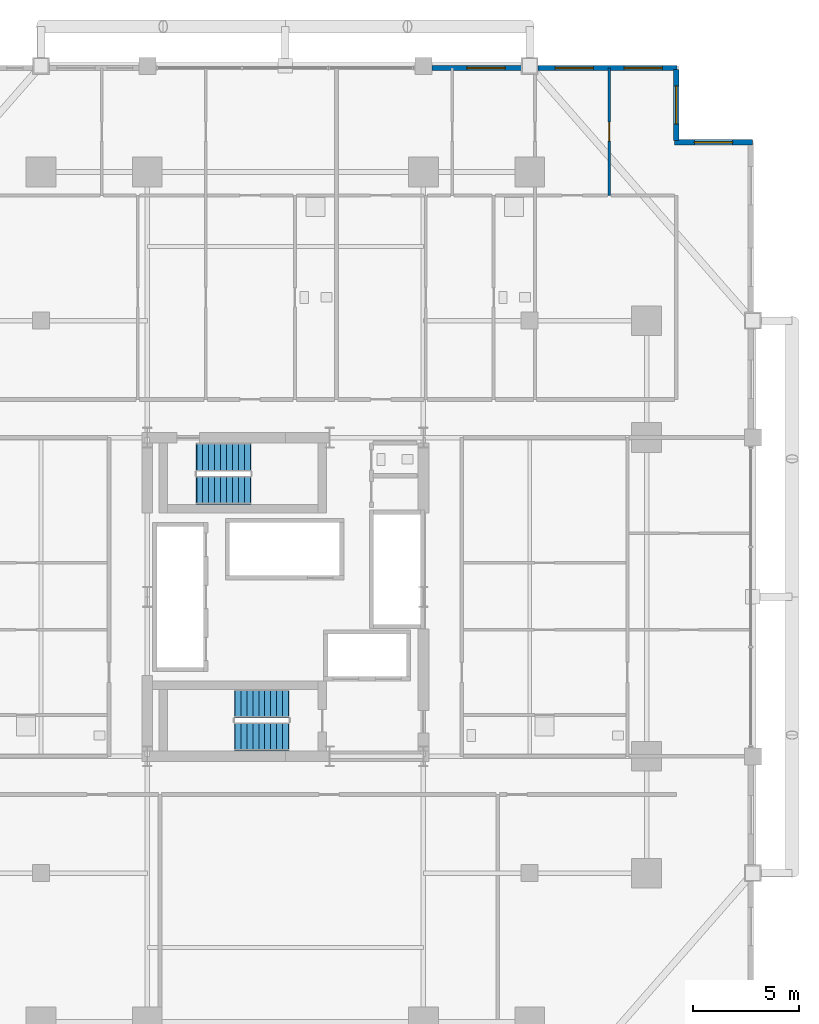
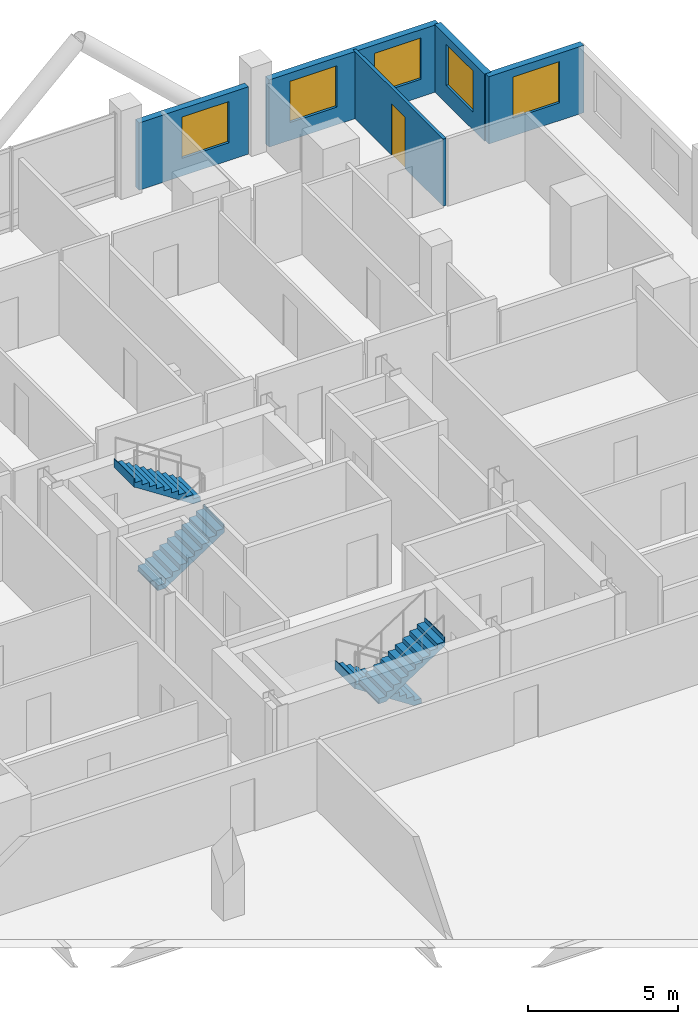
# One storey, part 25 of 27: 5 walls, 5 windows, 4 stair flights, 1 door, 6 openings, 2 elements without a shape of their own.
"""IFC4 building model written with IfcOpenShell, lengths in metres."""

from ifc_helpers import new_model, si_unit, direction, frame, frame_2d, origin, place, context, subcontext, project, spatial, polyline, rectangle, outline, extrude, material, layer, layer_set, type_object, element, fill, aggregate, save


model = new_model("IFC4")

# Units and contexts
model_context = context("Model", 3, precision=1e-05, world=origin(), true_north=direction((0.0, 1.0)))
body_context = subcontext(model_context, "Body", "Model", "MODEL_VIEW")
ifc_project = project(units=[si_unit("LENGTHUNIT", "METRE"), si_unit("AREAUNIT", "SQUARE_METRE"), si_unit("VOLUMEUNIT", "CUBIC_METRE"), si_unit("PLANEANGLEUNIT", "RADIAN"), si_unit("MASSUNIT", "GRAM", prefix="KILO")], contexts=[model_context])

# Site, building, storey
site_placement = place(None, origin())
site = spatial("IfcSite", under=ifc_project, at=site_placement, CompositionType="ELEMENT")
building_placement = place(site_placement, origin())
building = spatial("IfcBuilding", under=site, at=building_placement, Name="Barlavira Tower and Art Museum", CompositionType="ELEMENT")
storey_placement = place(building_placement, frame((0.0, 0.0, 61.199951171875)))
storey = spatial("IfcBuildingStorey", under=building, at=storey_placement, Name="L14", CompositionType="ELEMENT", Elevation=61.199951171875)

# Wall, opening, door
ifc_material_1 = material(Name="Gypsum acoustic stud partition", Category="gypsum")
ifc_layer_1 = layer(ifc_material_1, 0.1201171875, Name="Gypsum acoustic stud partition")
ifc_layer_set_1 = layer_set([ifc_layer_1], Name="Gypsum acoustic stud partition")
wall_type_1 = type_object("IfcWallType", Name="Apartment Internal Acoustic Partition 120", PredefinedType="PARTITIONING", material=ifc_layer_set_1)
wall_1_placement = place(storey_placement, frame((15.25, 18.89990234375, 0.0), z_axis=(0.0, 0.0, 1.0), x_axis=(0.0, 1.0, 0.0)))
wall_1 = element("IfcWall", 1, at=wall_1_placement, inside=storey, type_object=wall_type_1, Name="L14 Partition Wall 18", PredefinedType="PARTITIONING", context=body_context, shape_type="SweptSolid", body=[
    extrude(rectangle(XDim=6.0, YDim=0.1201171875, at=frame_2d((3.0, 0.0))), origin(), (0.0, 0.0, 1.0), 2.736083984375),
])
opening_1_placement = place(wall_1_placement, frame((2.550048828125, 0.0, 0.0)))
opening_1 = element("IfcOpeningElement", 2, at=opening_1_placement, cuts=wall_1, Name="Opening D-01", PredefinedType="OPENING", context=body_context, shape_type="SweptSolid", body=[
    extrude(rectangle(XDim=0.89990234375, YDim=2.10009765625, at=frame_2d((0.449951171875, 1.050048828125))), frame((0.0, 0.070068359375, 0.0), z_axis=(0.0, -1.0, 0.0), x_axis=(1.0, 0.0, 0.0)), (0.0, 0.0, 1.0), 0.14013671875),
])
ifc_material_2 = material(Name="Engineered coastal hardwood", Category="wood")
door_type = type_object("IfcDoorType", Name="Internal Bedroom Timber Flush Door 900x2100", OperationType="NOTDEFINED", PredefinedType="DOOR", material=ifc_material_2)
door_placement = place(opening_1_placement, origin())
door = element("IfcDoor", 3, at=door_placement, inside=storey, type_object=door_type, Name="Apartment N2 Bedroom 3 Door", OperationType="SINGLE_SWING_LEFT", OverallHeight=2.10009765625, OverallWidth=0.89990234375, PredefinedType="DOOR", context=body_context, shape_type="SweptSolid", body=[
    extrude(rectangle(XDim=0.89990234375, YDim=2.10009765625, at=frame_2d((0.449951171875, 1.050048828125))), frame((0.0, 0.02490234375, 0.0), z_axis=(0.0, -1.0, 0.0), x_axis=(1.0, 0.0, 0.0)), (0.0, 0.0, 1.0), 0.050048828125),
])
fill(opening_1, door)

# Wall, openings, windows
ifc_material_3 = material(Name="Precast concrete C40", Category="concrete")
ifc_layer_2 = layer(ifc_material_3, 0.25, Name="Precast concrete C40")
ifc_layer_set_2 = layer_set([ifc_layer_2], Name="Precast concrete C40")
wall_type_2 = type_object("IfcWallType", Name="Notched Corner Spandrel Wall 250 Precast Concrete C40", PredefinedType="SOLIDWALL", material=ifc_layer_set_2)
wall_2_placement = place(storey_placement, frame((18.425048828125, 24.89990234375, 0.0), z_axis=(0.0, 0.0, 1.0), x_axis=(-1.0, 0.0, 0.0)))
wall_2 = element("IfcWall", 4, at=wall_2_placement, inside=storey, type_object=wall_type_2, Name="L14 Coastal Facade Pier Wall CW1-L14-N-1", PredefinedType="SOLIDWALL", context=body_context, shape_type="SweptSolid", body=[
    extrude(rectangle(XDim=6.530029296875, YDim=0.25, at=frame_2d((3.26513671875, 0.0))), origin(), (0.0, 0.0, 1.0), 2.736083984375),
])
opening_2_placement = place(wall_2_placement, frame((0.68310546875, 0.0, 0.719970703125)))
opening_2 = element("IfcOpeningElement", 5, at=opening_2_placement, cuts=wall_2, Name="Opening WN-01", PredefinedType="OPENING", context=body_context, shape_type="SweptSolid", body=[
    extrude(rectangle(XDim=1.800048828125, YDim=1.679931640625, at=frame_2d((0.89990234375, 0.83984375))), frame((0.0, 0.135009765625, 0.0), z_axis=(0.0, -1.0, 0.0), x_axis=(1.0, 0.0, 0.0)), (0.0, 0.0, 1.0), 0.27001953125),
])
opening_3_placement = place(wall_2_placement, frame((3.925048828125, 0.0, 0.719970703125)))
opening_3 = element("IfcOpeningElement", 6, at=opening_3_placement, cuts=wall_2, Name="Opening WN-01", PredefinedType="OPENING", context=body_context, shape_type="SweptSolid", body=[
    extrude(rectangle(XDim=1.800048828125, YDim=1.679931640625, at=frame_2d((0.89990234375, 0.83984375))), frame((0.0, 0.135009765625, 0.0), z_axis=(0.0, -1.0, 0.0), x_axis=(1.0, 0.0, 0.0)), (0.0, 0.0, 1.0), 0.27001953125),
])
ifc_material_4 = material(Name="Low-iron coastal laminated glass", Category="glass")
window_type = type_object("IfcWindowType", Name="Recessed Notch Corner Punch Window 1800x1680", PartitioningType="SINGLE_PANEL", PredefinedType="WINDOW", material=ifc_material_4)
window_1_placement = place(opening_2_placement, origin())
window_1 = element("IfcWindow", 7, at=window_1_placement, inside=storey, type_object=window_type, Name="L14 Punched Facade Window EWP-CW1-L14-N-1-1", OverallHeight=1.679931640625, OverallWidth=1.800048828125, PartitioningType="SINGLE_PANEL", PredefinedType="WINDOW", context=body_context, shape_type="SweptSolid", body=[
    extrude(rectangle(XDim=1.800048828125, YDim=1.679931640625, at=frame_2d((0.89990234375, 0.83984375))), frame((0.0, 0.030029296875, 0.0), z_axis=(0.0, -1.0, 0.0), x_axis=(1.0, 0.0, 0.0)), (0.0, 0.0, 1.0), 0.06005859375),
])
fill(opening_2, window_1)
window_2_placement = place(opening_3_placement, origin())
window_2 = element("IfcWindow", 8, at=window_2_placement, inside=storey, type_object=window_type, Name="L14 Punched Facade Window EWP-CW1-L14-N-1-2", OverallHeight=1.679931640625, OverallWidth=1.800048828125, PartitioningType="SINGLE_PANEL", PredefinedType="WINDOW", context=body_context, shape_type="SweptSolid", body=[
    extrude(rectangle(XDim=1.800048828125, YDim=1.679931640625, at=frame_2d((0.89990234375, 0.83984375))), frame((0.0, 0.030029296875, 0.0), z_axis=(0.0, -1.0, 0.0), x_axis=(1.0, 0.0, 0.0)), (0.0, 0.0, 1.0), 0.06005859375),
])
fill(opening_3, window_2)

# Wall, opening, window
wall_3_placement = place(storey_placement, frame((11.10498046875, 24.89990234375, 0.0), z_axis=(0.0, 0.0, 1.0), x_axis=(-1.0, 0.0, 0.0)))
wall_3 = element("IfcWall", 9, at=wall_3_placement, inside=storey, type_object=wall_type_2, Name="L14 Coastal Facade Pier Wall CW1-L14-N-2", PredefinedType="SOLIDWALL", context=body_context, shape_type="SweptSolid", body=[
    extrude(rectangle(XDim=4.2099609375, YDim=0.25, at=frame_2d((2.10498046875, 0.0))), origin(), (0.0, 0.0, 1.0), 2.736083984375),
])
opening_4_placement = place(wall_3_placement, frame((0.760009765625, 0.0, 0.719970703125)))
opening_4 = element("IfcOpeningElement", 10, at=opening_4_placement, cuts=wall_3, Name="Opening WN-01", PredefinedType="OPENING", context=body_context, shape_type="SweptSolid", body=[
    extrude(rectangle(XDim=1.800048828125, YDim=1.679931640625, at=frame_2d((0.89990234375, 0.83984375))), frame((0.0, 0.135009765625, 0.0), z_axis=(0.0, -1.0, 0.0), x_axis=(1.0, 0.0, 0.0)), (0.0, 0.0, 1.0), 0.27001953125),
])
window_3_placement = place(opening_4_placement, origin())
window_3 = element("IfcWindow", 11, at=window_3_placement, inside=storey, type_object=window_type, Name="L14 Punched Facade Window EWP-CW1-L14-N-2-1", OverallHeight=1.679931640625, OverallWidth=1.800048828125, PartitioningType="SINGLE_PANEL", PredefinedType="WINDOW", context=body_context, shape_type="SweptSolid", body=[
    extrude(rectangle(XDim=1.800048828125, YDim=1.679931640625, at=frame_2d((0.89990234375, 0.83984375))), frame((0.0, 0.030029296875, 0.0), z_axis=(0.0, -1.0, 0.0), x_axis=(1.0, 0.0, 0.0)), (0.0, 0.0, 1.0), 0.06005859375),
])
fill(opening_4, window_3)

wall_4_placement = place(storey_placement, frame((21.97998046875, 21.39990234375, 0.0), z_axis=(0.0, 0.0, 1.0), x_axis=(-1.0, 0.0, 0.0)))
wall_4 = element("IfcWall", 12, at=wall_4_placement, inside=storey, type_object=wall_type_2, Name="L14 Notch Corner Wall NE1", PredefinedType="SOLIDWALL", context=body_context, shape_type="SweptSolid", body=[
    extrude(rectangle(XDim=3.659912109375, YDim=0.25, at=frame_2d((1.830078125, 0.0))), origin(), (0.0, 0.0, 1.0), 2.736083984375),
])
opening_5_placement = place(wall_4_placement, frame((0.929931640625, 0.0, 0.719970703125)))
opening_5 = element("IfcOpeningElement", 13, at=opening_5_placement, cuts=wall_4, Name="Opening WN-01", PredefinedType="OPENING", context=body_context, shape_type="SweptSolid", body=[
    extrude(rectangle(XDim=1.800048828125, YDim=1.679931640625, at=frame_2d((0.89990234375, 0.83984375))), frame((0.0, 0.135009765625, 0.0), z_axis=(0.0, -1.0, 0.0), x_axis=(1.0, 0.0, 0.0)), (0.0, 0.0, 1.0), 0.27001953125),
])
window_4_placement = place(opening_5_placement, origin())
window_4 = element("IfcWindow", 14, at=window_4_placement, inside=storey, type_object=window_type, Name="L14 Punched Facade Window EW-NTC-L14-NE1-1", OverallHeight=1.679931640625, OverallWidth=1.800048828125, PartitioningType="SINGLE_PANEL", PredefinedType="WINDOW", context=body_context, shape_type="SweptSolid", body=[
    extrude(rectangle(XDim=1.800048828125, YDim=1.679931640625, at=frame_2d((0.89990234375, 0.83984375))), frame((0.0, 0.030029296875, 0.0), z_axis=(0.0, -1.0, 0.0), x_axis=(1.0, 0.0, 0.0)), (0.0, 0.0, 1.0), 0.06005859375),
])
fill(opening_5, window_4)

wall_5_placement = place(storey_placement, frame((18.39990234375, 21.47998046875, 0.0), z_axis=(0.0, 0.0, 1.0), x_axis=(0.0, 1.0, 0.0)))
wall_5 = element("IfcWall", 15, at=wall_5_placement, inside=storey, type_object=wall_type_2, Name="L14 Notch Corner Wall NE2", PredefinedType="SOLIDWALL", context=body_context, shape_type="SweptSolid", body=[
    extrude(rectangle(XDim=3.340087890625, YDim=0.25, at=frame_2d((1.669921875, 0.0))), origin(), (0.0, 0.0, 1.0), 2.736083984375),
])
opening_6_placement = place(wall_5_placement, frame((0.77001953125, 0.0, 0.719970703125)))
opening_6 = element("IfcOpeningElement", 16, at=opening_6_placement, cuts=wall_5, Name="Opening WN-01", PredefinedType="OPENING", context=body_context, shape_type="SweptSolid", body=[
    extrude(rectangle(XDim=1.800048828125, YDim=1.679931640625, at=frame_2d((0.89990234375, 0.83984375))), frame((0.0, 0.135009765625, 0.0), z_axis=(0.0, -1.0, 0.0), x_axis=(1.0, 0.0, 0.0)), (0.0, 0.0, 1.0), 0.27001953125),
])
window_5_placement = place(opening_6_placement, origin())
window_5 = element("IfcWindow", 17, at=window_5_placement, inside=storey, type_object=window_type, Name="L14 Punched Facade Window EW-NTC-L14-NE2-1", OverallHeight=1.679931640625, OverallWidth=1.800048828125, PartitioningType="SINGLE_PANEL", PredefinedType="WINDOW", context=body_context, shape_type="SweptSolid", body=[
    extrude(rectangle(XDim=1.800048828125, YDim=1.679931640625, at=frame_2d((0.89990234375, 0.83984375))), frame((0.0, 0.030029296875, 0.0), z_axis=(0.0, -1.0, 0.0), x_axis=(1.0, 0.0, 0.0)), (0.0, 0.0, 1.0), 0.06005859375),
])
fill(opening_6, window_5)

# Stair, stair flights
ifc_material_5 = material(Name="Concrete C45", Category="concrete")
stair_type_1 = type_object("IfcStairType", Name="Tower North Dog-Leg Exit Stair Assembly Concrete C45", PredefinedType="TWO_QUARTER_TURN_STAIR", material=ifc_material_5)
stair_1_placement = place(storey_placement, origin())
stair_1 = element("IfcStair", 18, at=stair_1_placement, inside=storey, type_object=stair_type_1, Name="L14 Tower North Exit Stair ST-T2", PredefinedType="TWO_QUARTER_TURN_STAIR")
ifc_material_6 = material(Name="Precast concrete C45", Category="concrete")
stair_flight_type_1 = type_object("IfcStairFlightType", Name="Tower North Dog-Leg Exit Stair Precast Flight 1350 Concrete C45", PredefinedType="STRAIGHT", material=ifc_material_6)
stair_flight_1_placement = place(storey_placement, frame((-4.169921875, 5.02490234375, 0.0), z_axis=(0.0, 0.0, 1.0), x_axis=(1.0, 0.0, 0.0)))
stair_flight_1 = element("IfcStairFlight", 19, at=stair_flight_1_placement, type_object=stair_flight_type_1, Name="ST-T2 flight 1", NumberOfRisers=10, NumberOfTreads=9, PredefinedType="STRAIGHT", RiserHeight=0.18, TreadLength=0.28, context=body_context, shape_type="SweptSolid", body=[
    extrude(outline(polyline([(-0.02490234375, 0.0), (0.0, 0.0), (0.0, 0.179931640625), (0.280029296875, 0.179931640625), (0.280029296875, 0.360107421875), (0.56005859375, 0.360107421875), (0.56005859375, 0.5400390625), (0.840087890625, 0.5400390625), (0.840087890625, 0.719970703125), (1.1201171875, 0.719970703125), (1.1201171875, 0.89990234375), (1.39990234375, 0.89990234375), (1.39990234375, 1.080078125), (1.679931640625, 1.080078125), (1.679931640625, 1.260009765625), (1.9599609375, 1.260009765625), (1.9599609375, 1.43994140625), (2.239990234375, 1.43994140625), (2.239990234375, 1.6201171875), (2.52001953125, 1.6201171875), (2.52001953125, 1.800048828125), (2.544921875, 1.800048828125), (2.544921875, 1.44189453125), (2.52001953125, 1.44189453125), (0.277099609375, -0.02490234375), (-0.02490234375, -0.02490234375), (-0.02490234375, 0.0)])), frame((0.0, 0.675048828125, 0.0), z_axis=(0.0, -1.0, 0.0), x_axis=(1.0, 0.0, 0.0)), (0.0, 0.0, 1.0), 1.35009765625),
])
stair_flight_2_placement = place(storey_placement, frame((-1.64990234375, 6.574951171875, 1.800048828125), z_axis=(0.0, 0.0, 1.0), x_axis=(-1.0, 0.0, 0.0)))
stair_flight_2 = element("IfcStairFlight", 20, at=stair_flight_2_placement, type_object=stair_flight_type_1, Name="ST-T2 flight 2", NumberOfRisers=10, NumberOfTreads=9, PredefinedType="STRAIGHT", RiserHeight=0.18, TreadLength=0.28, context=body_context, shape_type="SweptSolid", body=[
    extrude(outline(polyline([(-0.02490234375, 0.0), (0.0, 0.0), (0.0, 0.179931640625), (0.280029296875, 0.179931640625), (0.280029296875, 0.360107421875), (0.56005859375, 0.360107421875), (0.56005859375, 0.5400390625), (0.840087890625, 0.5400390625), (0.840087890625, 0.719970703125), (1.1201171875, 0.719970703125), (1.1201171875, 0.89990234375), (1.39990234375, 0.89990234375), (1.39990234375, 1.080078125), (1.679931640625, 1.080078125), (1.679931640625, 1.260009765625), (1.9599609375, 1.260009765625), (1.9599609375, 1.43994140625), (2.239990234375, 1.43994140625), (2.239990234375, 1.6201171875), (2.52001953125, 1.6201171875), (2.52001953125, 1.800048828125), (2.544921875, 1.800048828125), (2.544921875, 1.44189453125), (2.52001953125, 1.44189453125), (0.277099609375, -0.02490234375), (-0.02490234375, -0.02490234375), (-0.02490234375, 0.0)])), frame((0.0, 0.675048828125, 0.0), z_axis=(0.0, -1.0, 0.0), x_axis=(1.0, 0.0, 0.0)), (0.0, 0.0, 1.0), 1.35009765625),
])
aggregate(stair_1, [stair_flight_1, stair_flight_2])

stair_type_2 = type_object("IfcStairType", Name="Tower South Dog-Leg Exit Stair Assembly Concrete C45", PredefinedType="TWO_QUARTER_TURN_STAIR", material=ifc_material_5)
stair_2_placement = place(storey_placement, origin())
stair_2 = element("IfcStair", 21, at=stair_2_placement, inside=storey, type_object=stair_type_2, Name="L14 Tower South Exit Stair ST-T1", PredefinedType="TWO_QUARTER_TURN_STAIR")
stair_flight_type_2 = type_object("IfcStairFlightType", Name="Tower South Dog-Leg Exit Stair Precast Flight 1350 Concrete C45", PredefinedType="STRAIGHT", material=ifc_material_6)
stair_flight_3_placement = place(storey_placement, frame((0.14990234375, -5.02490234375, 0.0), z_axis=(0.0, 0.0, 1.0), x_axis=(-1.0, 0.0, 0.0)))
stair_flight_3 = element("IfcStairFlight", 22, at=stair_flight_3_placement, type_object=stair_flight_type_2, Name="ST-T1 flight 1", NumberOfRisers=10, NumberOfTreads=9, PredefinedType="STRAIGHT", RiserHeight=0.18, TreadLength=0.28, context=body_context, shape_type="SweptSolid", body=[
    extrude(outline(polyline([(-0.02490234375, 0.0), (0.0, 0.0), (0.0, 0.179931640625), (0.280029296875, 0.179931640625), (0.280029296875, 0.360107421875), (0.56005859375, 0.360107421875), (0.56005859375, 0.5400390625), (0.840087890625, 0.5400390625), (0.840087890625, 0.719970703125), (1.1201171875, 0.719970703125), (1.1201171875, 0.89990234375), (1.39990234375, 0.89990234375), (1.39990234375, 1.080078125), (1.679931640625, 1.080078125), (1.679931640625, 1.260009765625), (1.9599609375, 1.260009765625), (1.9599609375, 1.43994140625), (2.239990234375, 1.43994140625), (2.239990234375, 1.6201171875), (2.52001953125, 1.6201171875), (2.52001953125, 1.800048828125), (2.544921875, 1.800048828125), (2.544921875, 1.44189453125), (2.52001953125, 1.44189453125), (0.277099609375, -0.02490234375), (-0.02490234375, -0.02490234375), (-0.02490234375, 0.0)])), frame((0.0, 0.675048828125, 0.0), z_axis=(0.0, -1.0, 0.0), x_axis=(1.0, 0.0, 0.0)), (0.0, 0.0, 1.0), 1.35009765625),
])
stair_flight_4_placement = place(storey_placement, frame((-2.3701171875, -6.574951171875, 1.800048828125), z_axis=(0.0, 0.0, 1.0), x_axis=(1.0, 0.0, 0.0)))
stair_flight_4 = element("IfcStairFlight", 23, at=stair_flight_4_placement, type_object=stair_flight_type_2, Name="ST-T1 flight 2", NumberOfRisers=10, NumberOfTreads=9, PredefinedType="STRAIGHT", RiserHeight=0.18, TreadLength=0.28, context=body_context, shape_type="SweptSolid", body=[
    extrude(outline(polyline([(-0.02490234375, 0.0), (0.0, 0.0), (0.0, 0.179931640625), (0.280029296875, 0.179931640625), (0.280029296875, 0.360107421875), (0.56005859375, 0.360107421875), (0.56005859375, 0.5400390625), (0.840087890625, 0.5400390625), (0.840087890625, 0.719970703125), (1.1201171875, 0.719970703125), (1.1201171875, 0.89990234375), (1.39990234375, 0.89990234375), (1.39990234375, 1.080078125), (1.679931640625, 1.080078125), (1.679931640625, 1.260009765625), (1.9599609375, 1.260009765625), (1.9599609375, 1.43994140625), (2.239990234375, 1.43994140625), (2.239990234375, 1.6201171875), (2.52001953125, 1.6201171875), (2.52001953125, 1.800048828125), (2.544921875, 1.800048828125), (2.544921875, 1.44189453125), (2.52001953125, 1.44189453125), (0.277099609375, -0.02490234375), (-0.02490234375, -0.02490234375), (-0.02490234375, 0.0)])), frame((0.0, 0.675048828125, 0.0), z_axis=(0.0, -1.0, 0.0), x_axis=(1.0, 0.0, 0.0)), (0.0, 0.0, 1.0), 1.35009765625),
])
aggregate(stair_2, [stair_flight_3, stair_flight_4])

save(model, "model.ifc")
